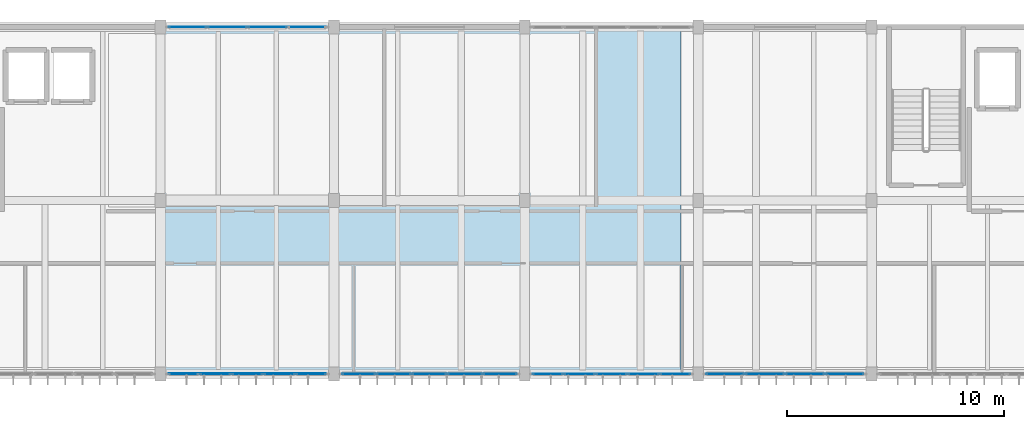
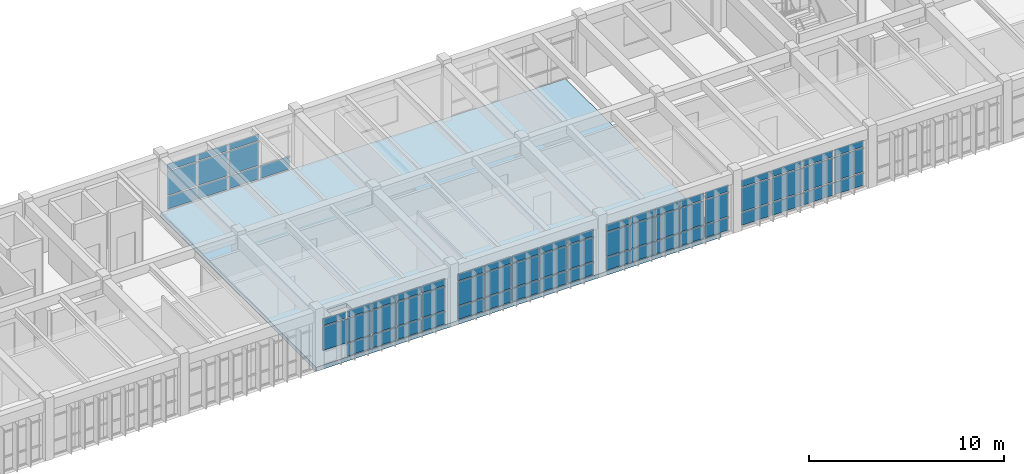
# One storey, part 9 of 15: 66 plates, 1 slab, 5 elements without a shape of their own.
"""IFC4 building model written with IfcOpenShell, lengths in metres."""

from ifc_helpers import new_model, si_unit, direction, frame, origin, origin_2d, place, context, subcontext, project, spatial, polyline, rectangle, outline, extrude, material, layer, layer_set, type_object, element, aggregate, save


model = new_model("IFC4")

# Units and contexts
model_context = context("Model", 3, precision=1e-05, world=origin(), true_north=direction((0.0, 1.0)))
body_context = subcontext(model_context, "Body", "Model", "MODEL_VIEW")
ifc_project = project(units=[si_unit("LENGTHUNIT", "METRE"), si_unit("AREAUNIT", "SQUARE_METRE"), si_unit("VOLUMEUNIT", "CUBIC_METRE"), si_unit("PLANEANGLEUNIT", "RADIAN"), si_unit("MASSUNIT", "GRAM", prefix="KILO")], contexts=[model_context])

# Site, building, storey
site_placement = place(None, origin())
site = spatial("IfcSite", under=ifc_project, at=site_placement, CompositionType="ELEMENT")
building_placement = place(site_placement, origin())
building = spatial("IfcBuilding", under=site, at=building_placement, Name="Tlaxcora Railside Police Headquarters", CompositionType="ELEMENT")
storey_placement = place(building_placement, frame((0.0, 0.0, 25.800048828125)))
storey = spatial("IfcBuildingStorey", under=building, at=storey_placement, Name="L06", CompositionType="ELEMENT", Elevation=25.800048828125)

# Curtain wall, plates
ifc_material_1 = material(Name="Thermally broken low-E insulated glazing", Category="glass")
curtain_wall_type_1 = type_object("IfcCurtainWallType", Name="Unitised Curtain Wall Assembly CW-23", PredefinedType="NOTDEFINED", material=ifc_material_1)
curtain_wall_1_placement = place(storey_placement, origin())
curtain_wall_1 = element("IfcCurtainWall", 1, at=curtain_wall_1_placement, inside=storey, type_object=curtain_wall_type_1, Name="V5 L06 curtain wall 124", PredefinedType="NOTDEFINED")
ifc_layer_1 = layer(ifc_material_1, 0.0400390625, Name="Thermally broken low-E insulated glazing")
ifc_layer_set_1 = layer_set([ifc_layer_1], Name="Thermally broken low-E insulated glazing")
plate_type_1 = type_object("IfcPlateType", Name="Curtain Wall Infill Panel CW-17", PredefinedType="CURTAIN_PANEL", material=ifc_layer_set_1)
plate_1_placement = place(storey_placement, frame((38.260009765625, 76.800048828125, 0.93994140625), z_axis=(0.0, 0.0, 1.0), x_axis=(1.0, 0.0, 0.0)))
plate_1 = element("IfcPlate", 2, at=plate_1_placement, type_object=plate_type_1, Name="CW panel 1.2", PredefinedType="CURTAIN_PANEL", context=body_context, shape_type="SweptSolid", body=[
    extrude(rectangle(XDim=1.360107421875, YDim=0.0400390625, at=origin_2d()), origin(), (0.0, 0.0, 1.0), 1.47998046875),
])
plate_2_placement = place(storey_placement, frame((38.260009765625, 76.800048828125, 2.5), z_axis=(0.0, 0.0, 1.0), x_axis=(1.0, 0.0, 0.0)))
plate_2 = element("IfcPlate", 3, at=plate_2_placement, type_object=plate_type_1, Name="CW panel 1.3", PredefinedType="CURTAIN_PANEL", context=body_context, shape_type="SweptSolid", body=[
    extrude(rectangle(XDim=1.360107421875, YDim=0.0400390625, at=origin_2d()), origin(), (0.0, 0.0, 1.0), 0.409912109375),
])
plate_3_placement = place(storey_placement, frame((39.719970703125, 76.800048828125, 0.080078125), z_axis=(0.0, 0.0, 1.0), x_axis=(1.0, 0.0, 0.0)))
plate_3 = element("IfcPlate", 4, at=plate_3_placement, type_object=plate_type_1, Name="CW panel 2.1", PredefinedType="CURTAIN_PANEL", context=body_context, shape_type="SweptSolid", body=[
    extrude(rectangle(XDim=1.39990234375, YDim=0.0400390625, at=origin_2d()), origin(), (0.0, 0.0, 1.0), 0.780029296875),
])
plate_4_placement = place(storey_placement, frame((39.719970703125, 76.800048828125, 0.93994140625), z_axis=(0.0, 0.0, 1.0), x_axis=(1.0, 0.0, 0.0)))
plate_4 = element("IfcPlate", 5, at=plate_4_placement, type_object=plate_type_1, Name="CW panel 2.2", PredefinedType="CURTAIN_PANEL", context=body_context, shape_type="SweptSolid", body=[
    extrude(rectangle(XDim=1.39990234375, YDim=0.0400390625, at=origin_2d()), origin(), (0.0, 0.0, 1.0), 1.47998046875),
])
plate_5_placement = place(storey_placement, frame((39.719970703125, 76.800048828125, 2.5), z_axis=(0.0, 0.0, 1.0), x_axis=(1.0, 0.0, 0.0)))
plate_5 = element("IfcPlate", 6, at=plate_5_placement, type_object=plate_type_1, Name="CW panel 2.3", PredefinedType="CURTAIN_PANEL", context=body_context, shape_type="SweptSolid", body=[
    extrude(rectangle(XDim=1.39990234375, YDim=0.0400390625, at=origin_2d()), origin(), (0.0, 0.0, 1.0), 0.409912109375),
])
plate_6_placement = place(storey_placement, frame((41.199951171875, 76.800048828125, 0.080078125), z_axis=(0.0, 0.0, 1.0), x_axis=(1.0, 0.0, 0.0)))
plate_6 = element("IfcPlate", 7, at=plate_6_placement, type_object=plate_type_1, Name="CW panel 3.1", PredefinedType="CURTAIN_PANEL", context=body_context, shape_type="SweptSolid", body=[
    extrude(rectangle(XDim=1.39990234375, YDim=0.0400390625, at=origin_2d()), origin(), (0.0, 0.0, 1.0), 0.780029296875),
])
plate_7_placement = place(storey_placement, frame((41.199951171875, 76.800048828125, 0.93994140625), z_axis=(0.0, 0.0, 1.0), x_axis=(1.0, 0.0, 0.0)))
plate_7 = element("IfcPlate", 8, at=plate_7_placement, type_object=plate_type_1, Name="CW panel 3.2", PredefinedType="CURTAIN_PANEL", context=body_context, shape_type="SweptSolid", body=[
    extrude(rectangle(XDim=1.39990234375, YDim=0.0400390625, at=origin_2d()), origin(), (0.0, 0.0, 1.0), 1.47998046875),
])
plate_8_placement = place(storey_placement, frame((41.199951171875, 76.800048828125, 2.5), z_axis=(0.0, 0.0, 1.0), x_axis=(1.0, 0.0, 0.0)))
plate_8 = element("IfcPlate", 9, at=plate_8_placement, type_object=plate_type_1, Name="CW panel 3.3", PredefinedType="CURTAIN_PANEL", context=body_context, shape_type="SweptSolid", body=[
    extrude(rectangle(XDim=1.39990234375, YDim=0.0400390625, at=origin_2d()), origin(), (0.0, 0.0, 1.0), 0.409912109375),
])
plate_9_placement = place(storey_placement, frame((42.679931640625, 76.800048828125, 0.080078125), z_axis=(0.0, 0.0, 1.0), x_axis=(1.0, 0.0, 0.0)))
plate_9 = element("IfcPlate", 10, at=plate_9_placement, type_object=plate_type_1, Name="CW panel 4.1", PredefinedType="CURTAIN_PANEL", context=body_context, shape_type="SweptSolid", body=[
    extrude(rectangle(XDim=1.39990234375, YDim=0.0400390625, at=origin_2d()), origin(), (0.0, 0.0, 1.0), 0.780029296875),
])
plate_10_placement = place(storey_placement, frame((42.679931640625, 76.800048828125, 0.93994140625), z_axis=(0.0, 0.0, 1.0), x_axis=(1.0, 0.0, 0.0)))
plate_10 = element("IfcPlate", 11, at=plate_10_placement, type_object=plate_type_1, Name="CW panel 4.2", PredefinedType="CURTAIN_PANEL", context=body_context, shape_type="SweptSolid", body=[
    extrude(rectangle(XDim=1.39990234375, YDim=0.0400390625, at=origin_2d()), origin(), (0.0, 0.0, 1.0), 1.47998046875),
])
plate_11_placement = place(storey_placement, frame((42.679931640625, 76.800048828125, 2.5), z_axis=(0.0, 0.0, 1.0), x_axis=(1.0, 0.0, 0.0)))
plate_11 = element("IfcPlate", 12, at=plate_11_placement, type_object=plate_type_1, Name="CW panel 4.3", PredefinedType="CURTAIN_PANEL", context=body_context, shape_type="SweptSolid", body=[
    extrude(rectangle(XDim=1.39990234375, YDim=0.0400390625, at=origin_2d()), origin(), (0.0, 0.0, 1.0), 0.409912109375),
])
plate_12_placement = place(storey_placement, frame((44.139892578125, 76.800048828125, 0.080078125), z_axis=(0.0, 0.0, 1.0), x_axis=(1.0, 0.0, 0.0)))
plate_12 = element("IfcPlate", 13, at=plate_12_placement, type_object=plate_type_1, Name="CW panel 5.1", PredefinedType="CURTAIN_PANEL", context=body_context, shape_type="SweptSolid", body=[
    extrude(rectangle(XDim=1.360107421875, YDim=0.0400390625, at=origin_2d()), origin(), (0.0, 0.0, 1.0), 0.780029296875),
])
plate_13_placement = place(storey_placement, frame((44.139892578125, 76.800048828125, 0.93994140625), z_axis=(0.0, 0.0, 1.0), x_axis=(1.0, 0.0, 0.0)))
plate_13 = element("IfcPlate", 14, at=plate_13_placement, type_object=plate_type_1, Name="CW panel 5.2", PredefinedType="CURTAIN_PANEL", context=body_context, shape_type="SweptSolid", body=[
    extrude(rectangle(XDim=1.360107421875, YDim=0.0400390625, at=origin_2d()), origin(), (0.0, 0.0, 1.0), 1.47998046875),
])
plate_14_placement = place(storey_placement, frame((44.139892578125, 76.800048828125, 2.5), z_axis=(0.0, 0.0, 1.0), x_axis=(1.0, 0.0, 0.0)))
plate_14 = element("IfcPlate", 15, at=plate_14_placement, type_object=plate_type_1, Name="CW panel 5.3", PredefinedType="CURTAIN_PANEL", context=body_context, shape_type="SweptSolid", body=[
    extrude(rectangle(XDim=1.360107421875, YDim=0.0400390625, at=origin_2d()), origin(), (0.0, 0.0, 1.0), 0.409912109375),
])
aggregate(curtain_wall_1, [plate_1, plate_2, plate_3, plate_4, plate_5, plate_6, plate_7, plate_8, plate_9, plate_10, plate_11, plate_12, plate_13, plate_14])

curtain_wall_type_2 = type_object("IfcCurtainWallType", Name="Unitised Curtain Wall Assembly CW-15", PredefinedType="NOTDEFINED", material=ifc_material_1)
curtain_wall_2_placement = place(storey_placement, origin())
curtain_wall_2 = element("IfcCurtainWall", 16, at=curtain_wall_2_placement, inside=storey, type_object=curtain_wall_type_2, Name="V5 L06 curtain wall 126", PredefinedType="NOTDEFINED")
ifc_layer_2 = layer(ifc_material_1, 0.031982421875, Name="Thermally broken low-E insulated glazing")
ifc_layer_set_2 = layer_set([ifc_layer_2], Name="Thermally broken low-E insulated glazing")
plate_type_2 = type_object("IfcPlateType", Name="Curtain Wall Infill Panel CW-41", PredefinedType="CURTAIN_PANEL", material=ifc_layer_set_2)
plate_15_placement = place(storey_placement, frame((55.058837890625, 76.800048828125, 0.074951171875), z_axis=(0.0, 0.0, 1.0), x_axis=(1.0, 0.0, 0.0)))
plate_15 = element("IfcPlate", 17, at=plate_15_placement, type_object=plate_type_2, Name="CW panel 1.1", PredefinedType="CURTAIN_PANEL", context=body_context, shape_type="SweptSolid", body=[
    extrude(rectangle(XDim=1.367431640625, YDim=0.031982421875, at=origin_2d()), origin(), (0.0, 0.0, 1.0), 0.78759765625),
])
plate_16_placement = place(storey_placement, frame((55.058837890625, 76.800048828125, 0.9375), z_axis=(0.0, 0.0, 1.0), x_axis=(1.0, 0.0, 0.0)))
plate_16 = element("IfcPlate", 18, at=plate_16_placement, type_object=plate_type_2, Name="CW panel 1.2", PredefinedType="CURTAIN_PANEL", context=body_context, shape_type="SweptSolid", body=[
    extrude(rectangle(XDim=1.367431640625, YDim=0.031982421875, at=origin_2d()), origin(), (0.0, 0.0, 1.0), 1.485107421875),
])
plate_17_placement = place(storey_placement, frame((55.058837890625, 76.800048828125, 2.49755859375), z_axis=(0.0, 0.0, 1.0), x_axis=(1.0, 0.0, 0.0)))
plate_17 = element("IfcPlate", 19, at=plate_17_placement, type_object=plate_type_2, Name="CW panel 1.3", PredefinedType="CURTAIN_PANEL", context=body_context, shape_type="SweptSolid", body=[
    extrude(rectangle(XDim=1.367431640625, YDim=0.031982421875, at=origin_2d()), origin(), (0.0, 0.0, 1.0), 0.41748046875),
])
plate_18_placement = place(storey_placement, frame((56.52001953125, 76.800048828125, 0.074951171875), z_axis=(0.0, 0.0, 1.0), x_axis=(1.0, 0.0, 0.0)))
plate_18 = element("IfcPlate", 20, at=plate_18_placement, type_object=plate_type_2, Name="CW panel 2.1", PredefinedType="CURTAIN_PANEL", context=body_context, shape_type="SweptSolid", body=[
    extrude(rectangle(XDim=1.405029296875, YDim=0.031982421875, at=origin_2d()), origin(), (0.0, 0.0, 1.0), 0.78759765625),
])
plate_19_placement = place(storey_placement, frame((56.52001953125, 76.800048828125, 0.9375), z_axis=(0.0, 0.0, 1.0), x_axis=(1.0, 0.0, 0.0)))
plate_19 = element("IfcPlate", 21, at=plate_19_placement, type_object=plate_type_2, Name="CW panel 2.2", PredefinedType="CURTAIN_PANEL", context=body_context, shape_type="SweptSolid", body=[
    extrude(rectangle(XDim=1.405029296875, YDim=0.031982421875, at=origin_2d()), origin(), (0.0, 0.0, 1.0), 1.485107421875),
])
plate_20_placement = place(storey_placement, frame((56.52001953125, 76.800048828125, 2.49755859375), z_axis=(0.0, 0.0, 1.0), x_axis=(1.0, 0.0, 0.0)))
plate_20 = element("IfcPlate", 22, at=plate_20_placement, type_object=plate_type_2, Name="CW panel 2.3", PredefinedType="CURTAIN_PANEL", context=body_context, shape_type="SweptSolid", body=[
    extrude(rectangle(XDim=1.405029296875, YDim=0.031982421875, at=origin_2d()), origin(), (0.0, 0.0, 1.0), 0.41748046875),
])
plate_21_placement = place(storey_placement, frame((58.0, 76.800048828125, 0.074951171875), z_axis=(0.0, 0.0, 1.0), x_axis=(1.0, 0.0, 0.0)))
plate_21 = element("IfcPlate", 23, at=plate_21_placement, type_object=plate_type_2, Name="CW panel 3.1", PredefinedType="CURTAIN_PANEL", context=body_context, shape_type="SweptSolid", body=[
    extrude(rectangle(XDim=1.405029296875, YDim=0.031982421875, at=origin_2d()), origin(), (0.0, 0.0, 1.0), 0.78759765625),
])
plate_22_placement = place(storey_placement, frame((58.0, 76.800048828125, 0.9375), z_axis=(0.0, 0.0, 1.0), x_axis=(1.0, 0.0, 0.0)))
plate_22 = element("IfcPlate", 24, at=plate_22_placement, type_object=plate_type_2, Name="CW panel 3.2", PredefinedType="CURTAIN_PANEL", context=body_context, shape_type="SweptSolid", body=[
    extrude(rectangle(XDim=1.405029296875, YDim=0.031982421875, at=origin_2d()), origin(), (0.0, 0.0, 1.0), 1.485107421875),
])
plate_23_placement = place(storey_placement, frame((58.0, 76.800048828125, 2.49755859375), z_axis=(0.0, 0.0, 1.0), x_axis=(1.0, 0.0, 0.0)))
plate_23 = element("IfcPlate", 25, at=plate_23_placement, type_object=plate_type_2, Name="CW panel 3.3", PredefinedType="CURTAIN_PANEL", context=body_context, shape_type="SweptSolid", body=[
    extrude(rectangle(XDim=1.405029296875, YDim=0.031982421875, at=origin_2d()), origin(), (0.0, 0.0, 1.0), 0.41748046875),
])
plate_24_placement = place(storey_placement, frame((59.47998046875, 76.800048828125, 0.074951171875), z_axis=(0.0, 0.0, 1.0), x_axis=(1.0, 0.0, 0.0)))
plate_24 = element("IfcPlate", 26, at=plate_24_placement, type_object=plate_type_2, Name="CW panel 4.1", PredefinedType="CURTAIN_PANEL", context=body_context, shape_type="SweptSolid", body=[
    extrude(rectangle(XDim=1.405029296875, YDim=0.031982421875, at=origin_2d()), origin(), (0.0, 0.0, 1.0), 0.78759765625),
])
plate_25_placement = place(storey_placement, frame((59.47998046875, 76.800048828125, 0.9375), z_axis=(0.0, 0.0, 1.0), x_axis=(1.0, 0.0, 0.0)))
plate_25 = element("IfcPlate", 27, at=plate_25_placement, type_object=plate_type_2, Name="CW panel 4.2", PredefinedType="CURTAIN_PANEL", context=body_context, shape_type="SweptSolid", body=[
    extrude(rectangle(XDim=1.405029296875, YDim=0.031982421875, at=origin_2d()), origin(), (0.0, 0.0, 1.0), 1.485107421875),
])
plate_26_placement = place(storey_placement, frame((59.47998046875, 76.800048828125, 2.49755859375), z_axis=(0.0, 0.0, 1.0), x_axis=(1.0, 0.0, 0.0)))
plate_26 = element("IfcPlate", 28, at=plate_26_placement, type_object=plate_type_2, Name="CW panel 4.3", PredefinedType="CURTAIN_PANEL", context=body_context, shape_type="SweptSolid", body=[
    extrude(rectangle(XDim=1.405029296875, YDim=0.031982421875, at=origin_2d()), origin(), (0.0, 0.0, 1.0), 0.41748046875),
])
plate_27_placement = place(storey_placement, frame((60.941162109375, 76.800048828125, 0.074951171875), z_axis=(0.0, 0.0, 1.0), x_axis=(1.0, 0.0, 0.0)))
plate_27 = element("IfcPlate", 29, at=plate_27_placement, type_object=plate_type_2, Name="CW panel 5.1", PredefinedType="CURTAIN_PANEL", context=body_context, shape_type="SweptSolid", body=[
    extrude(rectangle(XDim=1.367431640625, YDim=0.031982421875, at=origin_2d()), origin(), (0.0, 0.0, 1.0), 0.78759765625),
])
plate_28_placement = place(storey_placement, frame((60.941162109375, 76.800048828125, 0.9375), z_axis=(0.0, 0.0, 1.0), x_axis=(1.0, 0.0, 0.0)))
plate_28 = element("IfcPlate", 30, at=plate_28_placement, type_object=plate_type_2, Name="CW panel 5.2", PredefinedType="CURTAIN_PANEL", context=body_context, shape_type="SweptSolid", body=[
    extrude(rectangle(XDim=1.367431640625, YDim=0.031982421875, at=origin_2d()), origin(), (0.0, 0.0, 1.0), 1.485107421875),
])
plate_29_placement = place(storey_placement, frame((60.941162109375, 76.800048828125, 2.49755859375), z_axis=(0.0, 0.0, 1.0), x_axis=(1.0, 0.0, 0.0)))
plate_29 = element("IfcPlate", 31, at=plate_29_placement, type_object=plate_type_2, Name="CW panel 5.3", PredefinedType="CURTAIN_PANEL", context=body_context, shape_type="SweptSolid", body=[
    extrude(rectangle(XDim=1.367431640625, YDim=0.031982421875, at=origin_2d()), origin(), (0.0, 0.0, 1.0), 0.41748046875),
])
aggregate(curtain_wall_2, [plate_15, plate_16, plate_17, plate_18, plate_19, plate_20, plate_21, plate_22, plate_23, plate_24, plate_25, plate_26, plate_27, plate_28, plate_29])

curtain_wall_type_3 = type_object("IfcCurtainWallType", Name="Unitised Curtain Wall Assembly CW-83", PredefinedType="NOTDEFINED", material=ifc_material_1)
curtain_wall_3_placement = place(storey_placement, origin())
curtain_wall_3 = element("IfcCurtainWall", 32, at=curtain_wall_3_placement, inside=storey, type_object=curtain_wall_type_3, Name="V5 L06 curtain wall 127", PredefinedType="NOTDEFINED")
ifc_layer_3 = layer(ifc_material_1, 0.035888671875, Name="Thermally broken low-E insulated glazing")
ifc_layer_set_3 = layer_set([ifc_layer_3], Name="Thermally broken low-E insulated glazing")
plate_type_3 = type_object("IfcPlateType", Name="Curtain Wall Infill Panel CW-72", PredefinedType="CURTAIN_PANEL", material=ifc_layer_set_3)
plate_30_placement = place(storey_placement, frame((63.2451171875, 76.800048828125, 0.080078125), z_axis=(0.0, 0.0, 1.0), x_axis=(1.0, 0.0, 0.0)))
plate_30 = element("IfcPlate", 33, at=plate_30_placement, type_object=plate_type_3, Name="CW panel 1.1", PredefinedType="CURTAIN_PANEL", context=body_context, shape_type="SweptSolid", body=[
    extrude(rectangle(XDim=1.72998046875, YDim=0.035888671875, at=origin_2d()), origin(), (0.0, 0.0, 1.0), 0.780029296875),
])
plate_31_placement = place(storey_placement, frame((63.2451171875, 76.800048828125, 0.93994140625), z_axis=(0.0, 0.0, 1.0), x_axis=(1.0, 0.0, 0.0)))
plate_31 = element("IfcPlate", 34, at=plate_31_placement, type_object=plate_type_3, Name="CW panel 1.2", PredefinedType="CURTAIN_PANEL", context=body_context, shape_type="SweptSolid", body=[
    extrude(rectangle(XDim=1.72998046875, YDim=0.035888671875, at=origin_2d()), origin(), (0.0, 0.0, 1.0), 1.47998046875),
])
plate_32_placement = place(storey_placement, frame((63.2451171875, 76.800048828125, 2.5), z_axis=(0.0, 0.0, 1.0), x_axis=(1.0, 0.0, 0.0)))
plate_32 = element("IfcPlate", 35, at=plate_32_placement, type_object=plate_type_3, Name="CW panel 1.3", PredefinedType="CURTAIN_PANEL", context=body_context, shape_type="SweptSolid", body=[
    extrude(rectangle(XDim=1.72998046875, YDim=0.035888671875, at=origin_2d()), origin(), (0.0, 0.0, 1.0), 0.409912109375),
])
plate_33_placement = place(storey_placement, frame((65.074951171875, 76.800048828125, 0.080078125), z_axis=(0.0, 0.0, 1.0), x_axis=(1.0, 0.0, 0.0)))
plate_33 = element("IfcPlate", 36, at=plate_33_placement, type_object=plate_type_3, Name="CW panel 2.1", PredefinedType="CURTAIN_PANEL", context=body_context, shape_type="SweptSolid", body=[
    extrude(rectangle(XDim=1.77001953125, YDim=0.035888671875, at=origin_2d()), origin(), (0.0, 0.0, 1.0), 0.780029296875),
])
plate_34_placement = place(storey_placement, frame((65.074951171875, 76.800048828125, 0.93994140625), z_axis=(0.0, 0.0, 1.0), x_axis=(1.0, 0.0, 0.0)))
plate_34 = element("IfcPlate", 37, at=plate_34_placement, type_object=plate_type_3, Name="CW panel 2.2", PredefinedType="CURTAIN_PANEL", context=body_context, shape_type="SweptSolid", body=[
    extrude(rectangle(XDim=1.77001953125, YDim=0.035888671875, at=origin_2d()), origin(), (0.0, 0.0, 1.0), 1.47998046875),
])
plate_35_placement = place(storey_placement, frame((65.074951171875, 76.800048828125, 2.5), z_axis=(0.0, 0.0, 1.0), x_axis=(1.0, 0.0, 0.0)))
plate_35 = element("IfcPlate", 38, at=plate_35_placement, type_object=plate_type_3, Name="CW panel 2.3", PredefinedType="CURTAIN_PANEL", context=body_context, shape_type="SweptSolid", body=[
    extrude(rectangle(XDim=1.77001953125, YDim=0.035888671875, at=origin_2d()), origin(), (0.0, 0.0, 1.0), 0.409912109375),
])
plate_36_placement = place(storey_placement, frame((66.925048828125, 76.800048828125, 0.080078125), z_axis=(0.0, 0.0, 1.0), x_axis=(1.0, 0.0, 0.0)))
plate_36 = element("IfcPlate", 39, at=plate_36_placement, type_object=plate_type_3, Name="CW panel 3.1", PredefinedType="CURTAIN_PANEL", context=body_context, shape_type="SweptSolid", body=[
    extrude(rectangle(XDim=1.77001953125, YDim=0.035888671875, at=origin_2d()), origin(), (0.0, 0.0, 1.0), 0.780029296875),
])
plate_37_placement = place(storey_placement, frame((66.925048828125, 76.800048828125, 0.93994140625), z_axis=(0.0, 0.0, 1.0), x_axis=(1.0, 0.0, 0.0)))
plate_37 = element("IfcPlate", 40, at=plate_37_placement, type_object=plate_type_3, Name="CW panel 3.2", PredefinedType="CURTAIN_PANEL", context=body_context, shape_type="SweptSolid", body=[
    extrude(rectangle(XDim=1.77001953125, YDim=0.035888671875, at=origin_2d()), origin(), (0.0, 0.0, 1.0), 1.47998046875),
])
plate_38_placement = place(storey_placement, frame((66.925048828125, 76.800048828125, 2.5), z_axis=(0.0, 0.0, 1.0), x_axis=(1.0, 0.0, 0.0)))
plate_38 = element("IfcPlate", 41, at=plate_38_placement, type_object=plate_type_3, Name="CW panel 3.3", PredefinedType="CURTAIN_PANEL", context=body_context, shape_type="SweptSolid", body=[
    extrude(rectangle(XDim=1.77001953125, YDim=0.035888671875, at=origin_2d()), origin(), (0.0, 0.0, 1.0), 0.409912109375),
])
plate_39_placement = place(storey_placement, frame((68.7548828125, 76.800048828125, 0.080078125), z_axis=(0.0, 0.0, 1.0), x_axis=(1.0, 0.0, 0.0)))
plate_39 = element("IfcPlate", 42, at=plate_39_placement, type_object=plate_type_3, Name="CW panel 4.1", PredefinedType="CURTAIN_PANEL", context=body_context, shape_type="SweptSolid", body=[
    extrude(rectangle(XDim=1.72998046875, YDim=0.035888671875, at=origin_2d()), origin(), (0.0, 0.0, 1.0), 0.780029296875),
])
plate_40_placement = place(storey_placement, frame((68.7548828125, 76.800048828125, 0.93994140625), z_axis=(0.0, 0.0, 1.0), x_axis=(1.0, 0.0, 0.0)))
plate_40 = element("IfcPlate", 43, at=plate_40_placement, type_object=plate_type_3, Name="CW panel 4.2", PredefinedType="CURTAIN_PANEL", context=body_context, shape_type="SweptSolid", body=[
    extrude(rectangle(XDim=1.72998046875, YDim=0.035888671875, at=origin_2d()), origin(), (0.0, 0.0, 1.0), 1.47998046875),
])
plate_41_placement = place(storey_placement, frame((68.7548828125, 76.800048828125, 2.5), z_axis=(0.0, 0.0, 1.0), x_axis=(1.0, 0.0, 0.0)))
plate_41 = element("IfcPlate", 44, at=plate_41_placement, type_object=plate_type_3, Name="CW panel 4.3", PredefinedType="CURTAIN_PANEL", context=body_context, shape_type="SweptSolid", body=[
    extrude(rectangle(XDim=1.72998046875, YDim=0.035888671875, at=origin_2d()), origin(), (0.0, 0.0, 1.0), 0.409912109375),
])
aggregate(curtain_wall_3, [plate_30, plate_31, plate_32, plate_33, plate_34, plate_35, plate_36, plate_37, plate_38, plate_39, plate_40, plate_41])

curtain_wall_4_placement = place(storey_placement, origin())
curtain_wall_4 = element("IfcCurtainWall", 45, at=curtain_wall_4_placement, inside=storey, type_object=curtain_wall_type_3, Name="V5 L06 curtain wall 131", PredefinedType="NOTDEFINED")
plate_42_placement = place(storey_placement, frame((43.955078125, 92.800048828125, 0.080078125), z_axis=(0.0, 0.0, 1.0), x_axis=(-1.0, 0.0, 0.0)))
plate_42 = element("IfcPlate", 46, at=plate_42_placement, type_object=plate_type_3, Name="CW panel 1.1", PredefinedType="CURTAIN_PANEL", context=body_context, shape_type="SweptSolid", body=[
    extrude(rectangle(XDim=1.72998046875, YDim=0.035888671875, at=origin_2d()), origin(), (0.0, 0.0, 1.0), 0.780029296875),
])
plate_43_placement = place(storey_placement, frame((42.125, 92.800048828125, 0.080078125), z_axis=(0.0, 0.0, 1.0), x_axis=(-1.0, 0.0, 0.0)))
plate_43 = element("IfcPlate", 47, at=plate_43_placement, type_object=plate_type_3, Name="CW panel 2.1", PredefinedType="CURTAIN_PANEL", context=body_context, shape_type="SweptSolid", body=[
    extrude(rectangle(XDim=1.77001953125, YDim=0.035888671875, at=origin_2d()), origin(), (0.0, 0.0, 1.0), 0.780029296875),
])
plate_44_placement = place(storey_placement, frame((42.125, 92.800048828125, 0.93994140625), z_axis=(0.0, 0.0, 1.0), x_axis=(-1.0, 0.0, 0.0)))
plate_44 = element("IfcPlate", 48, at=plate_44_placement, type_object=plate_type_3, Name="CW panel 2.2", PredefinedType="CURTAIN_PANEL", context=body_context, shape_type="SweptSolid", body=[
    extrude(rectangle(XDim=1.77001953125, YDim=0.035888671875, at=origin_2d()), origin(), (0.0, 0.0, 1.0), 1.47998046875),
])
plate_45_placement = place(storey_placement, frame((42.125, 92.800048828125, 2.5), z_axis=(0.0, 0.0, 1.0), x_axis=(-1.0, 0.0, 0.0)))
plate_45 = element("IfcPlate", 49, at=plate_45_placement, type_object=plate_type_3, Name="CW panel 2.3", PredefinedType="CURTAIN_PANEL", context=body_context, shape_type="SweptSolid", body=[
    extrude(rectangle(XDim=1.77001953125, YDim=0.035888671875, at=origin_2d()), origin(), (0.0, 0.0, 1.0), 0.409912109375),
])
plate_46_placement = place(storey_placement, frame((40.27490234375, 92.800048828125, 0.080078125), z_axis=(0.0, 0.0, 1.0), x_axis=(-1.0, 0.0, 0.0)))
plate_46 = element("IfcPlate", 50, at=plate_46_placement, type_object=plate_type_3, Name="CW panel 3.1", PredefinedType="CURTAIN_PANEL", context=body_context, shape_type="SweptSolid", body=[
    extrude(rectangle(XDim=1.77001953125, YDim=0.035888671875, at=origin_2d()), origin(), (0.0, 0.0, 1.0), 0.780029296875),
])
plate_47_placement = place(storey_placement, frame((40.27490234375, 92.800048828125, 0.93994140625), z_axis=(0.0, 0.0, 1.0), x_axis=(-1.0, 0.0, 0.0)))
plate_47 = element("IfcPlate", 51, at=plate_47_placement, type_object=plate_type_3, Name="CW panel 3.2", PredefinedType="CURTAIN_PANEL", context=body_context, shape_type="SweptSolid", body=[
    extrude(rectangle(XDim=1.77001953125, YDim=0.035888671875, at=origin_2d()), origin(), (0.0, 0.0, 1.0), 1.47998046875),
])
plate_48_placement = place(storey_placement, frame((40.27490234375, 92.800048828125, 2.5), z_axis=(0.0, 0.0, 1.0), x_axis=(-1.0, 0.0, 0.0)))
plate_48 = element("IfcPlate", 52, at=plate_48_placement, type_object=plate_type_3, Name="CW panel 3.3", PredefinedType="CURTAIN_PANEL", context=body_context, shape_type="SweptSolid", body=[
    extrude(rectangle(XDim=1.77001953125, YDim=0.035888671875, at=origin_2d()), origin(), (0.0, 0.0, 1.0), 0.409912109375),
])
plate_49_placement = place(storey_placement, frame((38.445068359375, 92.800048828125, 0.080078125), z_axis=(0.0, 0.0, 1.0), x_axis=(-1.0, 0.0, 0.0)))
plate_49 = element("IfcPlate", 53, at=plate_49_placement, type_object=plate_type_3, Name="CW panel 4.1", PredefinedType="CURTAIN_PANEL", context=body_context, shape_type="SweptSolid", body=[
    extrude(rectangle(XDim=1.72998046875, YDim=0.035888671875, at=origin_2d()), origin(), (0.0, 0.0, 1.0), 0.780029296875),
])
plate_50_placement = place(storey_placement, frame((38.445068359375, 92.800048828125, 0.93994140625), z_axis=(0.0, 0.0, 1.0), x_axis=(-1.0, 0.0, 0.0)))
plate_50 = element("IfcPlate", 54, at=plate_50_placement, type_object=plate_type_3, Name="CW panel 4.2", PredefinedType="CURTAIN_PANEL", context=body_context, shape_type="SweptSolid", body=[
    extrude(rectangle(XDim=1.72998046875, YDim=0.035888671875, at=origin_2d()), origin(), (0.0, 0.0, 1.0), 1.47998046875),
])
plate_51_placement = place(storey_placement, frame((38.445068359375, 92.800048828125, 2.5), z_axis=(0.0, 0.0, 1.0), x_axis=(-1.0, 0.0, 0.0)))
plate_51 = element("IfcPlate", 55, at=plate_51_placement, type_object=plate_type_3, Name="CW panel 4.3", PredefinedType="CURTAIN_PANEL", context=body_context, shape_type="SweptSolid", body=[
    extrude(rectangle(XDim=1.72998046875, YDim=0.035888671875, at=origin_2d()), origin(), (0.0, 0.0, 1.0), 0.409912109375),
])
aggregate(curtain_wall_4, [plate_42, plate_43, plate_44, plate_45, plate_46, plate_47, plate_48, plate_49, plate_50, plate_51])

curtain_wall_type_4 = type_object("IfcCurtainWallType", Name="Unitised Curtain Wall Assembly CW-38", PredefinedType="NOTDEFINED", material=ifc_material_1)
curtain_wall_5_placement = place(storey_placement, origin())
curtain_wall_5 = element("IfcCurtainWall", 56, at=curtain_wall_5_placement, inside=storey, type_object=curtain_wall_type_4, Name="V5 L06 curtain wall 125", PredefinedType="NOTDEFINED")
ifc_layer_4 = layer(ifc_material_1, 0.028076171875, Name="Thermally broken low-E insulated glazing")
ifc_layer_set_4 = layer_set([ifc_layer_4], Name="Thermally broken low-E insulated glazing")
plate_type_4 = type_object("IfcPlateType", Name="Curtain Wall Infill Panel CW-92", PredefinedType="CURTAIN_PANEL", material=ifc_layer_set_4)
plate_52_placement = place(storey_placement, frame((46.3388671875, 76.800048828125, 0.074951171875), z_axis=(0.0, 0.0, 1.0), x_axis=(1.0, 0.0, 0.0)))
plate_52 = element("IfcPlate", 57, at=plate_52_placement, type_object=plate_type_4, Name="CW panel 1.1", PredefinedType="CURTAIN_PANEL", context=body_context, shape_type="SweptSolid", body=[
    extrude(rectangle(XDim=1.527587890625, YDim=0.028076171875, at=origin_2d()), origin(), (0.0, 0.0, 1.0), 0.78759765625),
])
plate_53_placement = place(storey_placement, frame((46.3388671875, 76.800048828125, 0.9375), z_axis=(0.0, 0.0, 1.0), x_axis=(1.0, 0.0, 0.0)))
plate_53 = element("IfcPlate", 58, at=plate_53_placement, type_object=plate_type_4, Name="CW panel 1.2", PredefinedType="CURTAIN_PANEL", context=body_context, shape_type="SweptSolid", body=[
    extrude(rectangle(XDim=1.527587890625, YDim=0.028076171875, at=origin_2d()), origin(), (0.0, 0.0, 1.0), 1.485107421875),
])
plate_54_placement = place(storey_placement, frame((46.3388671875, 76.800048828125, 2.49755859375), z_axis=(0.0, 0.0, 1.0), x_axis=(1.0, 0.0, 0.0)))
plate_54 = element("IfcPlate", 59, at=plate_54_placement, type_object=plate_type_4, Name="CW panel 1.3", PredefinedType="CURTAIN_PANEL", context=body_context, shape_type="SweptSolid", body=[
    extrude(rectangle(XDim=1.527587890625, YDim=0.028076171875, at=origin_2d()), origin(), (0.0, 0.0, 1.0), 0.41748046875),
])
plate_55_placement = place(storey_placement, frame((47.9599609375, 76.800048828125, 0.074951171875), z_axis=(0.0, 0.0, 1.0), x_axis=(1.0, 0.0, 0.0)))
plate_55 = element("IfcPlate", 60, at=plate_55_placement, type_object=plate_type_4, Name="CW panel 2.1", PredefinedType="CURTAIN_PANEL", context=body_context, shape_type="SweptSolid", body=[
    extrude(rectangle(XDim=1.56494140625, YDim=0.028076171875, at=origin_2d()), origin(), (0.0, 0.0, 1.0), 0.78759765625),
])
plate_56_placement = place(storey_placement, frame((47.9599609375, 76.800048828125, 0.9375), z_axis=(0.0, 0.0, 1.0), x_axis=(1.0, 0.0, 0.0)))
plate_56 = element("IfcPlate", 61, at=plate_56_placement, type_object=plate_type_4, Name="CW panel 2.2", PredefinedType="CURTAIN_PANEL", context=body_context, shape_type="SweptSolid", body=[
    extrude(rectangle(XDim=1.56494140625, YDim=0.028076171875, at=origin_2d()), origin(), (0.0, 0.0, 1.0), 1.485107421875),
])
plate_57_placement = place(storey_placement, frame((47.9599609375, 76.800048828125, 2.49755859375), z_axis=(0.0, 0.0, 1.0), x_axis=(1.0, 0.0, 0.0)))
plate_57 = element("IfcPlate", 62, at=plate_57_placement, type_object=plate_type_4, Name="CW panel 2.3", PredefinedType="CURTAIN_PANEL", context=body_context, shape_type="SweptSolid", body=[
    extrude(rectangle(XDim=1.56494140625, YDim=0.028076171875, at=origin_2d()), origin(), (0.0, 0.0, 1.0), 0.41748046875),
])
plate_58_placement = place(storey_placement, frame((49.60009765625, 76.800048828125, 0.074951171875), z_axis=(0.0, 0.0, 1.0), x_axis=(1.0, 0.0, 0.0)))
plate_58 = element("IfcPlate", 63, at=plate_58_placement, type_object=plate_type_4, Name="CW panel 3.1", PredefinedType="CURTAIN_PANEL", context=body_context, shape_type="SweptSolid", body=[
    extrude(rectangle(XDim=1.56494140625, YDim=0.028076171875, at=origin_2d()), origin(), (0.0, 0.0, 1.0), 0.78759765625),
])
plate_59_placement = place(storey_placement, frame((49.60009765625, 76.800048828125, 0.9375), z_axis=(0.0, 0.0, 1.0), x_axis=(1.0, 0.0, 0.0)))
plate_59 = element("IfcPlate", 64, at=plate_59_placement, type_object=plate_type_4, Name="CW panel 3.2", PredefinedType="CURTAIN_PANEL", context=body_context, shape_type="SweptSolid", body=[
    extrude(rectangle(XDim=1.56494140625, YDim=0.028076171875, at=origin_2d()), origin(), (0.0, 0.0, 1.0), 1.485107421875),
])
plate_60_placement = place(storey_placement, frame((49.60009765625, 76.800048828125, 2.49755859375), z_axis=(0.0, 0.0, 1.0), x_axis=(1.0, 0.0, 0.0)))
plate_60 = element("IfcPlate", 65, at=plate_60_placement, type_object=plate_type_4, Name="CW panel 3.3", PredefinedType="CURTAIN_PANEL", context=body_context, shape_type="SweptSolid", body=[
    extrude(rectangle(XDim=1.56494140625, YDim=0.028076171875, at=origin_2d()), origin(), (0.0, 0.0, 1.0), 0.41748046875),
])
plate_61_placement = place(storey_placement, frame((51.239990234375, 76.800048828125, 0.074951171875), z_axis=(0.0, 0.0, 1.0), x_axis=(1.0, 0.0, 0.0)))
plate_61 = element("IfcPlate", 66, at=plate_61_placement, type_object=plate_type_4, Name="CW panel 4.1", PredefinedType="CURTAIN_PANEL", context=body_context, shape_type="SweptSolid", body=[
    extrude(rectangle(XDim=1.56494140625, YDim=0.028076171875, at=origin_2d()), origin(), (0.0, 0.0, 1.0), 0.78759765625),
])
plate_62_placement = place(storey_placement, frame((51.239990234375, 76.800048828125, 0.9375), z_axis=(0.0, 0.0, 1.0), x_axis=(1.0, 0.0, 0.0)))
plate_62 = element("IfcPlate", 67, at=plate_62_placement, type_object=plate_type_4, Name="CW panel 4.2", PredefinedType="CURTAIN_PANEL", context=body_context, shape_type="SweptSolid", body=[
    extrude(rectangle(XDim=1.56494140625, YDim=0.028076171875, at=origin_2d()), origin(), (0.0, 0.0, 1.0), 1.485107421875),
])
plate_63_placement = place(storey_placement, frame((51.239990234375, 76.800048828125, 2.49755859375), z_axis=(0.0, 0.0, 1.0), x_axis=(1.0, 0.0, 0.0)))
plate_63 = element("IfcPlate", 68, at=plate_63_placement, type_object=plate_type_4, Name="CW panel 4.3", PredefinedType="CURTAIN_PANEL", context=body_context, shape_type="SweptSolid", body=[
    extrude(rectangle(XDim=1.56494140625, YDim=0.028076171875, at=origin_2d()), origin(), (0.0, 0.0, 1.0), 0.41748046875),
])
plate_64_placement = place(storey_placement, frame((52.861328125, 76.800048828125, 0.074951171875), z_axis=(0.0, 0.0, 1.0), x_axis=(1.0, 0.0, 0.0)))
plate_64 = element("IfcPlate", 69, at=plate_64_placement, type_object=plate_type_4, Name="CW panel 5.1", PredefinedType="CURTAIN_PANEL", context=body_context, shape_type="SweptSolid", body=[
    extrude(rectangle(XDim=1.527587890625, YDim=0.028076171875, at=origin_2d()), origin(), (0.0, 0.0, 1.0), 0.78759765625),
])
plate_65_placement = place(storey_placement, frame((52.861328125, 76.800048828125, 0.9375), z_axis=(0.0, 0.0, 1.0), x_axis=(1.0, 0.0, 0.0)))
plate_65 = element("IfcPlate", 70, at=plate_65_placement, type_object=plate_type_4, Name="CW panel 5.2", PredefinedType="CURTAIN_PANEL", context=body_context, shape_type="SweptSolid", body=[
    extrude(rectangle(XDim=1.527587890625, YDim=0.028076171875, at=origin_2d()), origin(), (0.0, 0.0, 1.0), 1.485107421875),
])
plate_66_placement = place(storey_placement, frame((52.861328125, 76.800048828125, 2.49755859375), z_axis=(0.0, 0.0, 1.0), x_axis=(1.0, 0.0, 0.0)))
plate_66 = element("IfcPlate", 71, at=plate_66_placement, type_object=plate_type_4, Name="CW panel 5.3", PredefinedType="CURTAIN_PANEL", context=body_context, shape_type="SweptSolid", body=[
    extrude(rectangle(XDim=1.527587890625, YDim=0.028076171875, at=origin_2d()), origin(), (0.0, 0.0, 1.0), 0.41748046875),
])
aggregate(curtain_wall_5, [plate_52, plate_53, plate_54, plate_55, plate_56, plate_57, plate_58, plate_59, plate_60, plate_61, plate_62, plate_63, plate_64, plate_65, plate_66])

# Slab
ifc_material_2 = material(Name="Concrete C35/45", Category="concrete")
ifc_layer_5 = layer(ifc_material_2, 0.25, Name="Concrete C35/45")
ifc_layer_set_5 = layer_set([ifc_layer_5], Name="Concrete C35/45")
slab_type = type_object("IfcSlabType", Name="Suspended Floor Slab SL-22", PredefinedType="FLOOR", material=ifc_layer_set_5)
slab_placement = place(storey_placement, frame((0.0, 0.0, -0.25)))
element("IfcSlab", 72, at=slab_placement, inside=storey, type_object=slab_type, Name="V5 L06 floor slab zone 2", PredefinedType="FLOOR", context=body_context, shape_type="SweptSolid", body=[
    extrude(outline(polyline([(61.199951171875, 76.800048828125), (61.199951171875, 92.800048828125), (37.199951171875, 92.800048828125), (37.199951171875, 76.800048828125), (61.199951171875, 76.800048828125)]), holes=[polyline([(41.39990234375, 79.800048828125), (40.199951171875, 79.800048828125), (40.199951171875, 81.0), (41.39990234375, 81.0), (41.39990234375, 79.800048828125)])]), origin(), (0.0, 0.0, 1.0), 0.25),
])

save(model, "model.ifc")
